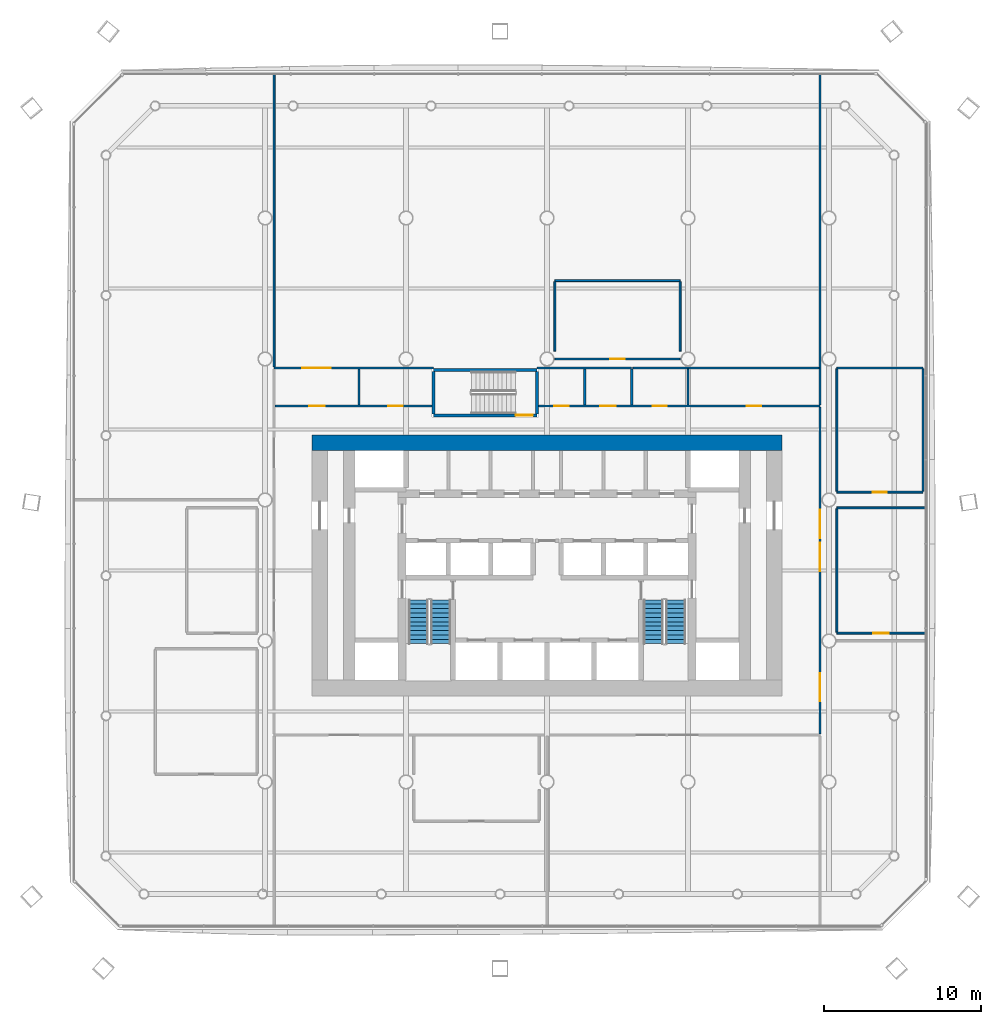
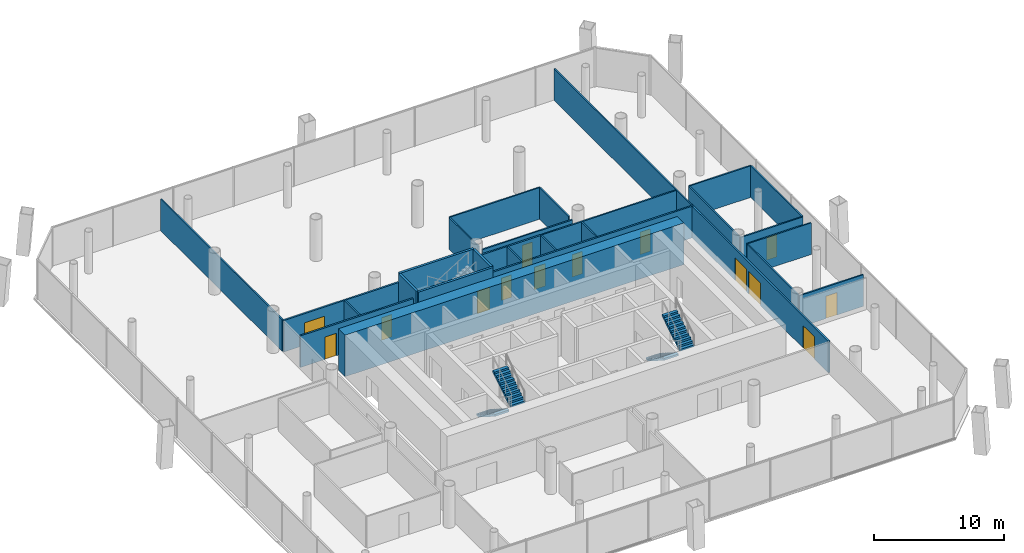
# One storey, part 16 of 22: 28 walls, 14 doors, 4 stair flights, 14 openings, 2 elements without a shape of their own.
"""IFC4 building model written with IfcOpenShell, lengths in metres."""

from ifc_helpers import new_model, si_unit, direction, frame, frame_2d, origin, place, context, subcontext, project, spatial, polyline, rectangle, outline, extrude, material, layer, layer_set, type_object, element, fill, aggregate, save


model = new_model("IFC4")

# Units and contexts
model_context = context("Model", 3, precision=1e-05, world=origin(), true_north=direction((0.0, 1.0)))
body_context = subcontext(model_context, "Body", "Model", "MODEL_VIEW")
ifc_project = project(units=[si_unit("LENGTHUNIT", "METRE"), si_unit("AREAUNIT", "SQUARE_METRE"), si_unit("VOLUMEUNIT", "CUBIC_METRE"), si_unit("PLANEANGLEUNIT", "RADIAN"), si_unit("MASSUNIT", "GRAM", prefix="KILO")], contexts=[model_context])

# Site, building, storey
site_placement = place(None, origin())
site = spatial("IfcSite", under=ifc_project, at=site_placement, CompositionType="ELEMENT")
building_placement = place(site_placement, origin())
building = spatial("IfcBuilding", under=site, at=building_placement, Name="Tskaro Facet Tower", CompositionType="ELEMENT")
storey_placement = place(building_placement, frame((0.0, 0.0, 30.300048828125)))
storey = spatial("IfcBuildingStorey", under=building, at=storey_placement, Name="L06", CompositionType="ELEMENT", Elevation=30.300048828125)

# Wall
ifc_material_1 = material(Name="Concrete C60/75", Category="concrete")
ifc_layer_1 = layer(ifc_material_1, 1.0, Name="Concrete C60/75")
ifc_layer_set_1 = layer_set([ifc_layer_1], Name="Concrete C60/75")
wall_type_1 = type_object("IfcWallType", Name="Core wall 1000", PredefinedType="SHEAR", material=ifc_layer_set_1)
wall_1_placement = place(storey_placement, frame((-15.0, 3.64990234375, 0.0), z_axis=(0.0, 0.0, 1.0), x_axis=(1.0, 0.0, 0.0)))
element("IfcWall", 1, at=wall_1_placement, inside=storey, type_object=wall_type_1, Name="Core wall CW-Z1N", PredefinedType="SHEAR", context=body_context, shape_type="SweptSolid", body=[
    extrude(rectangle(XDim=30.0, YDim=1.0, at=frame_2d((15.0, 0.0))), origin(), (0.0, 0.0, 1.0), 3.89990234375),
])

# Wall, opening, door
ifc_material_2 = material(Name="Gypsum board on steel studs", Category="steel")
ifc_layer_2 = layer(ifc_material_2, 0.125, Name="Gypsum board on steel studs")
ifc_layer_set_2 = layer_set([ifc_layer_2], Name="Gypsum board on steel studs")
wall_type_2 = type_object("IfcWallType", Name="PART", PredefinedType="PARTITIONING", material=ifc_layer_set_2)
wall_2_placement = place(storey_placement, frame((18.5, -8.5, 0.0), z_axis=(0.0, 0.0, 1.0), x_axis=(1.0, 0.0, 0.0)))
wall_2 = element("IfcWall", 2, at=wall_2_placement, inside=storey, type_object=wall_type_2, Name="Partition W010", PredefinedType="PARTITIONING", context=body_context, shape_type="SweptSolid", body=[
    extrude(rectangle(XDim=5.652099609375, YDim=0.125, at=frame_2d((2.826171875, 0.0))), origin(), (0.0, 0.0, 1.0), 2.9599609375),
])
opening_1_placement = place(wall_2_placement, frame((2.325927734375, 0.0, 0.0)))
opening_1 = element("IfcOpeningElement", 3, at=opening_1_placement, cuts=wall_2, Name="Opening T1-D10", PredefinedType="OPENING", context=body_context, shape_type="SweptSolid", body=[
    extrude(rectangle(XDim=1.0, YDim=2.10009765625, at=frame_2d((0.5, 1.050048828125))), frame((0.0, 0.072509765625, 0.0), z_axis=(0.0, -1.0, 0.0), x_axis=(1.0, 0.0, 0.0)), (0.0, 0.0, 1.0), 0.14501953125),
])
ifc_material_3 = material(Name="Timber", Category="wood")
door_type_1 = type_object("IfcDoorType", Name="D-ROOM-WIDE", OperationType="NOTDEFINED", PredefinedType="DOOR", material=ifc_material_3)
door_1_placement = place(opening_1_placement, origin())
door_1 = element("IfcDoor", 4, at=door_1_placement, inside=storey, type_object=door_type_1, Name="Door T1-D10", OperationType="SINGLE_SWING_LEFT", OverallHeight=2.10009765625, OverallWidth=1.0, PredefinedType="DOOR", context=body_context, shape_type="SweptSolid", body=[
    extrude(rectangle(XDim=1.0, YDim=2.10009765625, at=frame_2d((0.5, 1.050048828125))), frame((0.0, 0.02490234375, 0.0), z_axis=(0.0, -1.0, 0.0), x_axis=(1.0, 0.0, 0.0)), (0.0, 0.0, 1.0), 0.050048828125),
])
fill(opening_1, door_1)

# Wall
wall_3_placement = place(storey_placement, frame((18.5, -0.5, 0.0), z_axis=(0.0, 0.0, 1.0), x_axis=(1.0, 0.0, 0.0)))
element("IfcWall", 5, at=wall_3_placement, inside=storey, type_object=wall_type_2, Name="Partition W017", PredefinedType="PARTITIONING", context=body_context, shape_type="SweptSolid", body=[
    extrude(rectangle(XDim=5.652099609375, YDim=0.125, at=frame_2d((2.826171875, 0.0))), origin(), (0.0, 0.0, 1.0), 2.9599609375),
])

# Wall, opening, door
wall_4_placement = place(storey_placement, frame((18.5, 0.5, 0.0), z_axis=(0.0, 0.0, 1.0), x_axis=(1.0, 0.0, 0.0)))
wall_4 = element("IfcWall", 6, at=wall_4_placement, inside=storey, type_object=wall_type_2, Name="Partition W019", PredefinedType="PARTITIONING", context=body_context, shape_type="SweptSolid", body=[
    extrude(rectangle(XDim=5.5, YDim=0.125, at=frame_2d((2.75, 0.0))), origin(), (0.0, 0.0, 1.0), 2.9599609375),
])
opening_2_placement = place(wall_4_placement, frame((2.300048828125, 0.0, 0.0)))
opening_2 = element("IfcOpeningElement", 7, at=opening_2_placement, cuts=wall_4, Name="Opening T1-D28", PredefinedType="OPENING", context=body_context, shape_type="SweptSolid", body=[
    extrude(rectangle(XDim=0.89990234375, YDim=2.10009765625, at=frame_2d((0.449951171875, 1.050048828125))), frame((0.0, 0.072509765625, 0.0), z_axis=(0.0, -1.0, 0.0), x_axis=(1.0, 0.0, 0.0)), (0.0, 0.0, 1.0), 0.14501953125),
])
door_type_2 = type_object("IfcDoorType", Name="D-ROOM", OperationType="NOTDEFINED", PredefinedType="DOOR", material=ifc_material_3)
door_2_placement = place(opening_2_placement, origin())
door_2 = element("IfcDoor", 8, at=door_2_placement, inside=storey, type_object=door_type_2, Name="Door T1-D28", OperationType="SINGLE_SWING_LEFT", OverallHeight=2.10009765625, OverallWidth=0.89990234375, PredefinedType="DOOR", context=body_context, shape_type="SweptSolid", body=[
    extrude(rectangle(XDim=0.89990234375, YDim=2.10009765625, at=frame_2d((0.449951171875, 1.050048828125))), frame((0.0, 0.02490234375, 0.0), z_axis=(0.0, -1.0, 0.0), x_axis=(1.0, 0.0, 0.0)), (0.0, 0.0, 1.0), 0.050048828125),
])
fill(opening_2, door_2)

# Walls
wall_5_placement = place(storey_placement, frame((5.47509765625, 8.425048828125, 0.0), z_axis=(0.0, 0.0, 1.0), x_axis=(1.0, 0.0, 0.0)))
element("IfcWall", 9, at=wall_5_placement, inside=storey, type_object=wall_type_2, Name="Partition W028", PredefinedType="PARTITIONING", context=body_context, shape_type="SweptSolid", body=[
    extrude(rectangle(XDim=11.887451171875, YDim=0.125, at=frame_2d((5.94384765625, 0.0))), origin(), (0.0, 0.0, 1.0), 2.9599609375),
])
wall_6_placement = place(storey_placement, frame((18.5, 8.425048828125, 0.0), z_axis=(0.0, 0.0, 1.0), x_axis=(1.0, 0.0, 0.0)))
element("IfcWall", 10, at=wall_6_placement, inside=storey, type_object=wall_type_2, Name="Partition W029", PredefinedType="PARTITIONING", context=body_context, shape_type="SweptSolid", body=[
    extrude(rectangle(XDim=5.5, YDim=0.125, at=frame_2d((2.75, 0.0))), origin(), (0.0, 0.0, 1.0), 2.9599609375),
])

# Wall, opening, door
wall_7_placement = place(storey_placement, frame((0.5, 9.0, 0.0), z_axis=(0.0, 0.0, 1.0), x_axis=(1.0, 0.0, 0.0)))
wall_7 = element("IfcWall", 11, at=wall_7_placement, inside=storey, type_object=wall_type_2, Name="Partition W030", PredefinedType="PARTITIONING", context=body_context, shape_type="SweptSolid", body=[
    extrude(rectangle(XDim=8.0, YDim=0.125, at=frame_2d((4.0, 0.0))), origin(), (0.0, 0.0, 1.0), 2.9599609375),
])
opening_3_placement = place(wall_7_placement, frame((3.550048828125, 0.0, 0.0)))
opening_3 = element("IfcOpeningElement", 12, at=opening_3_placement, cuts=wall_7, Name="Opening T1-D39", PredefinedType="OPENING", context=body_context, shape_type="SweptSolid", body=[
    extrude(rectangle(XDim=0.89990234375, YDim=2.10009765625, at=frame_2d((0.449951171875, 1.050048828125))), frame((0.0, 0.072509765625, 0.0), z_axis=(0.0, -1.0, 0.0), x_axis=(1.0, 0.0, 0.0)), (0.0, 0.0, 1.0), 0.14501953125),
])
door_3_placement = place(opening_3_placement, origin())
door_3 = element("IfcDoor", 13, at=door_3_placement, inside=storey, type_object=door_type_2, Name="Door T1-D39", OperationType="SINGLE_SWING_LEFT", OverallHeight=2.10009765625, OverallWidth=0.89990234375, PredefinedType="DOOR", context=body_context, shape_type="SweptSolid", body=[
    extrude(rectangle(XDim=0.89990234375, YDim=2.10009765625, at=frame_2d((0.449951171875, 1.050048828125))), frame((0.0, 0.02490234375, 0.0), z_axis=(0.0, -1.0, 0.0), x_axis=(1.0, 0.0, 0.0)), (0.0, 0.0, 1.0), 0.050048828125),
])
fill(opening_3, door_3)

# Walls
wall_8_placement = place(storey_placement, frame((0.5, 14.0, 0.0), z_axis=(0.0, 0.0, 1.0), x_axis=(1.0, 0.0, 0.0)))
element("IfcWall", 14, at=wall_8_placement, inside=storey, type_object=wall_type_2, Name="Partition W031", PredefinedType="PARTITIONING", context=body_context, shape_type="SweptSolid", body=[
    extrude(rectangle(XDim=8.0, YDim=0.125, at=frame_2d((4.0, 0.0))), origin(), (0.0, 0.0, 1.0), 2.9599609375),
])
wall_9_placement = place(storey_placement, frame((-17.425048828125, 8.5, 0.0), z_axis=(0.0, 0.0, 1.0), x_axis=(0.0, 1.0, 0.0)))
element("IfcWall", 15, at=wall_9_placement, inside=storey, type_object=wall_type_2, Name="Partition W038", PredefinedType="PARTITIONING", context=body_context, shape_type="SweptSolid", body=[
    extrude(rectangle(XDim=18.652099609375, YDim=0.125, at=frame_2d((9.326171875, 0.0))), origin(), (0.0, 0.0, 1.0), 2.9599609375),
])
for number, where, z_axis, x_axis, name in (
    (16, (0.5, 9.5, 0.0), (0.0, 0.0, 1.0), (0.0, 1.0, 0.0), "Partition W058"),
    (17, (8.5, 9.5, 0.0), (0.0, 0.0, 1.0), (0.0, 1.0, 0.0), "Partition W069"),
):
    element("IfcWall", number, at=place(storey_placement, frame(where, z_axis=z_axis, x_axis=x_axis)), inside=storey, type_object=wall_type_2, Name=name, PredefinedType="PARTITIONING", context=body_context, shape_type="SweptSolid", body=[
        extrude(rectangle(XDim=4.4375, YDim=0.125, at=frame_2d((2.21875, 0.0))), origin(), (0.0, 0.0, 1.0), 2.9599609375),
    ])
wall_10_placement = place(storey_placement, frame((9.0, 6.074951171875, 0.0), z_axis=(0.0, 0.0, 1.0), x_axis=(0.0, 1.0, 0.0)))
element("IfcWall", 18, at=wall_10_placement, inside=storey, type_object=wall_type_2, Name="Partition W071", PredefinedType="PARTITIONING", context=body_context, shape_type="SweptSolid", body=[
    extrude(rectangle(XDim=2.28759765625, YDim=0.125, at=frame_2d((1.143798828125, 0.0))), origin(), (0.0, 0.0, 1.0), 2.9599609375),
])
wall_11_placement = place(storey_placement, frame((17.425048828125, 6.074951171875, 0.0), z_axis=(0.0, 0.0, 1.0), x_axis=(0.0, 1.0, 0.0)))
element("IfcWall", 19, at=wall_11_placement, inside=storey, type_object=wall_type_2, Name="Partition W074", PredefinedType="PARTITIONING", context=body_context, shape_type="SweptSolid", body=[
    extrude(rectangle(XDim=21.0771484375, YDim=0.125, at=frame_2d((10.53857421875, 0.0))), origin(), (0.0, 0.0, 1.0), 2.9599609375),
])
wall_12_placement = place(storey_placement, frame((18.5, -8.4375, 0.0), z_axis=(0.0, 0.0, 1.0), x_axis=(0.0, 1.0, 0.0)))
element("IfcWall", 20, at=wall_12_placement, inside=storey, type_object=wall_type_2, Name="Partition W075", PredefinedType="PARTITIONING", context=body_context, shape_type="SweptSolid", body=[
    extrude(rectangle(XDim=7.875, YDim=0.125, at=frame_2d((3.9375, 0.0))), origin(), (0.0, 0.0, 1.0), 2.9599609375),
])
for number, where, z_axis, x_axis, name in (
    (21, (18.5, 0.5625, 0.0), (0.0, 0.0, 1.0), (0.0, 1.0, 0.0), "Partition W076"),
    (22, (24.0, 0.5625, 0.0), (0.0, 0.0, 1.0), (0.0, 1.0, 0.0), "Partition W077"),
):
    element("IfcWall", number, at=place(storey_placement, frame(where, z_axis=z_axis, x_axis=x_axis)), inside=storey, type_object=wall_type_2, Name=name, PredefinedType="PARTITIONING", context=body_context, shape_type="SweptSolid", body=[
        extrude(rectangle(XDim=7.800048828125, YDim=0.125, at=frame_2d((3.89990234375, 0.0))), origin(), (0.0, 0.0, 1.0), 2.9599609375),
    ])

# Wall, openings, doors
ifc_layer_3 = layer(ifc_material_2, 0.14990234375, Name="Gypsum board on steel studs")
ifc_layer_set_3 = layer_set([ifc_layer_3], Name="Gypsum board on steel studs")
wall_type_3 = type_object("IfcWallType", Name="PART-CORR", PredefinedType="PARTITIONING", material=ifc_layer_set_3)
wall_13_placement = place(storey_placement, frame((-7.35009765625, 6.0, 0.0), z_axis=(0.0, 0.0, 1.0), x_axis=(-1.0, 0.0, 0.0)))
wall_13 = element("IfcWall", 23, at=wall_13_placement, inside=storey, type_object=wall_type_3, Name="Corridor wall W023", PredefinedType="PARTITIONING", context=body_context, shape_type="SweptSolid", body=[
    extrude(rectangle(XDim=10.0, YDim=0.14990234375, at=frame_2d((5.0, 0.0))), origin(), (0.0, 0.0, 1.0), 2.9599609375),
])
opening_4_placement = place(wall_13_placement, frame((6.824951171875, 0.0, 0.0)))
opening_4 = element("IfcOpeningElement", 24, at=opening_4_placement, cuts=wall_13, Name="Opening T1-D32", PredefinedType="OPENING", context=body_context, shape_type="SweptSolid", body=[
    extrude(rectangle(XDim=1.0, YDim=2.10009765625, at=frame_2d((0.5, 1.050048828125))), frame((0.0, 0.0849609375, 0.0), z_axis=(0.0, -1.0, 0.0), x_axis=(1.0, 0.0, 0.0)), (0.0, 0.0, 1.0), 0.169921875),
])
opening_5_placement = place(wall_13_placement, frame((1.875, 0.0, 0.0)))
opening_5 = element("IfcOpeningElement", 25, at=opening_5_placement, cuts=wall_13, Name="Opening T1-D33", PredefinedType="OPENING", context=body_context, shape_type="SweptSolid", body=[
    extrude(rectangle(XDim=0.89990234375, YDim=2.10009765625, at=frame_2d((0.449951171875, 1.050048828125))), frame((0.0, 0.0849609375, 0.0), z_axis=(0.0, -1.0, 0.0), x_axis=(1.0, 0.0, 0.0)), (0.0, 0.0, 1.0), 0.169921875),
])
door_type_3 = type_object("IfcDoorType", Name="D-ENTRY", OperationType="NOTDEFINED", PredefinedType="DOOR", material=ifc_material_3)
door_4_placement = place(opening_4_placement, origin())
door_4 = element("IfcDoor", 26, at=door_4_placement, inside=storey, type_object=door_type_3, Name="Door T1-D32", OperationType="SINGLE_SWING_RIGHT", OverallHeight=2.10009765625, OverallWidth=1.0, PredefinedType="DOOR", context=body_context, shape_type="SweptSolid", body=[
    extrude(rectangle(XDim=1.0, YDim=2.10009765625, at=frame_2d((0.5, 1.050048828125))), frame((0.0, 0.02490234375, 0.0), z_axis=(0.0, -1.0, 0.0), x_axis=(1.0, 0.0, 0.0)), (0.0, 0.0, 1.0), 0.050048828125),
])
fill(opening_4, door_4)
door_5_placement = place(opening_5_placement, origin())
door_5 = element("IfcDoor", 27, at=door_5_placement, inside=storey, type_object=door_type_2, Name="Door T1-D33", OperationType="SINGLE_SWING_RIGHT", OverallHeight=2.10009765625, OverallWidth=0.89990234375, PredefinedType="DOOR", context=body_context, shape_type="SweptSolid", body=[
    extrude(rectangle(XDim=0.89990234375, YDim=2.10009765625, at=frame_2d((0.449951171875, 1.050048828125))), frame((0.0, 0.02490234375, 0.0), z_axis=(0.0, -1.0, 0.0), x_axis=(1.0, 0.0, 0.0)), (0.0, 0.0, 1.0), 0.050048828125),
])
fill(opening_5, door_5)

wall_14_placement = place(storey_placement, frame((-0.550048828125, 6.0, 0.0), z_axis=(0.0, 0.0, 1.0), x_axis=(1.0, 0.0, 0.0)))
wall_14 = element("IfcWall", 28, at=wall_14_placement, inside=storey, type_object=wall_type_3, Name="Corridor wall W024", PredefinedType="PARTITIONING", context=body_context, shape_type="SweptSolid", body=[
    extrude(rectangle(XDim=17.97509765625, YDim=0.14990234375, at=frame_2d((8.987548828125, 0.0))), origin(), (0.0, 0.0, 1.0), 2.9599609375),
])
opening_6_placement = place(wall_14_placement, frame((1.02490234375, 0.0, 0.0)))
opening_6 = element("IfcOpeningElement", 29, at=opening_6_placement, cuts=wall_14, Name="Opening T1-D34", PredefinedType="OPENING", context=body_context, shape_type="SweptSolid", body=[
    extrude(rectangle(XDim=0.89990234375, YDim=2.10009765625, at=frame_2d((0.449951171875, 1.050048828125))), frame((0.0, 0.0849609375, 0.0), z_axis=(0.0, -1.0, 0.0), x_axis=(1.0, 0.0, 0.0)), (0.0, 0.0, 1.0), 0.169921875),
])
opening_7_placement = place(wall_14_placement, frame((3.949951171875, 0.0, 0.0)))
opening_7 = element("IfcOpeningElement", 30, at=opening_7_placement, cuts=wall_14, Name="Opening T1-D35", PredefinedType="OPENING", context=body_context, shape_type="SweptSolid", body=[
    extrude(rectangle(XDim=1.0, YDim=2.10009765625, at=frame_2d((0.5, 1.050048828125))), frame((0.0, 0.0849609375, 0.0), z_axis=(0.0, -1.0, 0.0), x_axis=(1.0, 0.0, 0.0)), (0.0, 0.0, 1.0), 0.169921875),
])
opening_8_placement = place(wall_14_placement, frame((7.300048828125, 0.0, 0.0)))
opening_8 = element("IfcOpeningElement", 31, at=opening_8_placement, cuts=wall_14, Name="Opening T1-D36", PredefinedType="OPENING", context=body_context, shape_type="SweptSolid", body=[
    extrude(rectangle(XDim=0.89990234375, YDim=2.10009765625, at=frame_2d((0.449951171875, 1.050048828125))), frame((0.0, 0.0849609375, 0.0), z_axis=(0.0, -1.0, 0.0), x_axis=(1.0, 0.0, 0.0)), (0.0, 0.0, 1.0), 0.169921875),
])
opening_9_placement = place(wall_14_placement, frame((13.3125, 0.0, 0.0)))
opening_9 = element("IfcOpeningElement", 32, at=opening_9_placement, cuts=wall_14, Name="Opening T1-D37", PredefinedType="OPENING", context=body_context, shape_type="SweptSolid", body=[
    extrude(rectangle(XDim=0.89990234375, YDim=2.10009765625, at=frame_2d((0.449951171875, 1.050048828125))), frame((0.0, 0.0849609375, 0.0), z_axis=(0.0, -1.0, 0.0), x_axis=(1.0, 0.0, 0.0)), (0.0, 0.0, 1.0), 0.169921875),
])
door_6_placement = place(opening_6_placement, origin())
door_6 = element("IfcDoor", 33, at=door_6_placement, inside=storey, type_object=door_type_2, Name="Door T1-D34", OperationType="SINGLE_SWING_LEFT", OverallHeight=2.10009765625, OverallWidth=0.89990234375, PredefinedType="DOOR", context=body_context, shape_type="SweptSolid", body=[
    extrude(rectangle(XDim=0.89990234375, YDim=2.10009765625, at=frame_2d((0.449951171875, 1.050048828125))), frame((0.0, 0.02490234375, 0.0), z_axis=(0.0, -1.0, 0.0), x_axis=(1.0, 0.0, 0.0)), (0.0, 0.0, 1.0), 0.050048828125),
])
fill(opening_6, door_6)
door_7_placement = place(opening_8_placement, origin())
door_7 = element("IfcDoor", 34, at=door_7_placement, inside=storey, type_object=door_type_2, Name="Door T1-D36", OperationType="SINGLE_SWING_LEFT", OverallHeight=2.10009765625, OverallWidth=0.89990234375, PredefinedType="DOOR", context=body_context, shape_type="SweptSolid", body=[
    extrude(rectangle(XDim=0.89990234375, YDim=2.10009765625, at=frame_2d((0.449951171875, 1.050048828125))), frame((0.0, 0.02490234375, 0.0), z_axis=(0.0, -1.0, 0.0), x_axis=(1.0, 0.0, 0.0)), (0.0, 0.0, 1.0), 0.050048828125),
])
fill(opening_8, door_7)
door_8_placement = place(opening_9_placement, origin())
door_8 = element("IfcDoor", 35, at=door_8_placement, inside=storey, type_object=door_type_2, Name="Door T1-D37", OperationType="SINGLE_SWING_LEFT", OverallHeight=2.10009765625, OverallWidth=0.89990234375, PredefinedType="DOOR", context=body_context, shape_type="SweptSolid", body=[
    extrude(rectangle(XDim=0.89990234375, YDim=2.10009765625, at=frame_2d((0.449951171875, 1.050048828125))), frame((0.0, 0.02490234375, 0.0), z_axis=(0.0, -1.0, 0.0), x_axis=(1.0, 0.0, 0.0)), (0.0, 0.0, 1.0), 0.050048828125),
])
fill(opening_9, door_8)
door_9_placement = place(opening_7_placement, origin())
door_9 = element("IfcDoor", 36, at=door_9_placement, inside=storey, type_object=door_type_1, Name="Door T1-D35", OperationType="SINGLE_SWING_LEFT", OverallHeight=2.10009765625, OverallWidth=1.0, PredefinedType="DOOR", context=body_context, shape_type="SweptSolid", body=[
    extrude(rectangle(XDim=1.0, YDim=2.10009765625, at=frame_2d((0.5, 1.050048828125))), frame((0.0, 0.02490234375, 0.0), z_axis=(0.0, -1.0, 0.0), x_axis=(1.0, 0.0, 0.0)), (0.0, 0.0, 1.0), 0.050048828125),
])
fill(opening_7, door_9)

# Wall, opening, door
wall_15_placement = place(storey_placement, frame((-17.425048828125, 8.425048828125, 0.0), z_axis=(0.0, 0.0, 1.0), x_axis=(1.0, 0.0, 0.0)))
wall_15 = element("IfcWall", 37, at=wall_15_placement, inside=storey, type_object=wall_type_3, Name="Corridor wall W026", PredefinedType="PARTITIONING", context=body_context, shape_type="SweptSolid", body=[
    extrude(rectangle(XDim=10.175048828125, YDim=0.14990234375, at=frame_2d((5.08740234375, 0.0))), origin(), (0.0, 0.0, 1.0), 2.9599609375),
])
opening_10_placement = place(wall_15_placement, frame((1.8125, 0.0, 0.0)))
opening_10 = element("IfcOpeningElement", 38, at=opening_10_placement, cuts=wall_15, Name="Opening T1-D38", PredefinedType="OPENING", context=body_context, shape_type="SweptSolid", body=[
    extrude(rectangle(XDim=1.800048828125, YDim=2.10009765625, at=frame_2d((0.89990234375, 1.050048828125))), frame((0.0, 0.0849609375, 0.0), z_axis=(0.0, -1.0, 0.0), x_axis=(1.0, 0.0, 0.0)), (0.0, 0.0, 1.0), 0.169921875),
])
ifc_material_4 = material(Name="Glass", Category="glass")
door_type_4 = type_object("IfcDoorType", Name="D-ENTRY-PAIR", OperationType="NOTDEFINED", PredefinedType="DOOR", material=ifc_material_4)
door_10_placement = place(opening_10_placement, origin())
door_10 = element("IfcDoor", 39, at=door_10_placement, inside=storey, type_object=door_type_4, Name="Door T1-D38", OperationType="DOUBLE_DOOR_SINGLE_SWING", OverallHeight=2.10009765625, OverallWidth=1.800048828125, PredefinedType="DOOR", context=body_context, shape_type="SweptSolid", body=[
    extrude(rectangle(XDim=1.800048828125, YDim=2.10009765625, at=frame_2d((0.89990234375, 1.050048828125))), frame((0.0, 0.02490234375, 0.0), z_axis=(0.0, -1.0, 0.0), x_axis=(1.0, 0.0, 0.0)), (0.0, 0.0, 1.0), 0.050048828125),
])
fill(opening_10, door_10)

# Walls
wall_16_placement = place(storey_placement, frame((-0.64990234375, 8.425048828125, 0.0), z_axis=(0.0, 0.0, 1.0), x_axis=(1.0, 0.0, 0.0)))
element("IfcWall", 40, at=wall_16_placement, inside=storey, type_object=wall_type_3, Name="Corridor wall W027", PredefinedType="PARTITIONING", context=body_context, shape_type="SweptSolid", body=[
    extrude(rectangle(XDim=6.0498046875, YDim=0.14990234375, at=frame_2d((3.02490234375, 0.0))), origin(), (0.0, 0.0, 1.0), 2.9599609375),
])
for number, where, z_axis, x_axis, name in (
    (41, (-12.0, 6.074951171875, 0.0), (0.0, 0.0, 1.0), (0.0, 1.0, 0.0), "Corridor wall W039"),
    (42, (2.39990234375, 6.074951171875, 0.0), (0.0, 0.0, 1.0), (0.0, 1.0, 0.0), "Corridor wall W061"),
    (43, (5.39990234375, 6.074951171875, 0.0), (0.0, 0.0, 1.0), (0.0, 1.0, 0.0), "Corridor wall W065"),
):
    element("IfcWall", number, at=place(storey_placement, frame(where, z_axis=z_axis, x_axis=x_axis)), inside=storey, type_object=wall_type_3, Name=name, PredefinedType="PARTITIONING", context=body_context, shape_type="SweptSolid", body=[
        extrude(rectangle(XDim=2.275146484375, YDim=0.14990234375, at=frame_2d((1.1376953125, 0.0))), origin(), (0.0, 0.0, 1.0), 2.9599609375),
    ])

# Wall, openings, doors
wall_17_placement = place(storey_placement, frame((17.425048828125, -14.925048828125, 0.0), z_axis=(0.0, 0.0, 1.0), x_axis=(0.0, 1.0, 0.0)))
wall_17 = element("IfcWall", 44, at=wall_17_placement, inside=storey, type_object=wall_type_3, Name="Corridor wall W073", PredefinedType="PARTITIONING", context=body_context, shape_type="SweptSolid", body=[
    extrude(rectangle(XDim=20.85009765625, YDim=0.14990234375, at=frame_2d((10.425048828125, 0.0))), origin(), (0.0, 0.0, 1.0), 2.9599609375),
])
opening_11_placement = place(wall_17_placement, frame((2.0625, 0.0, 0.0)))
opening_11 = element("IfcOpeningElement", 45, at=opening_11_placement, cuts=wall_17, Name="Opening T1-D06", PredefinedType="OPENING", context=body_context, shape_type="SweptSolid", body=[
    extrude(rectangle(XDim=1.800048828125, YDim=2.10009765625, at=frame_2d((0.89990234375, 1.050048828125))), frame((0.0, 0.0849609375, 0.0), z_axis=(0.0, -1.0, 0.0), x_axis=(1.0, 0.0, 0.0)), (0.0, 0.0, 1.0), 0.169921875),
])
opening_12_placement = place(wall_17_placement, frame((12.487548828125, 0.0, 0.0)))
opening_12 = element("IfcOpeningElement", 46, at=opening_12_placement, cuts=wall_17, Name="Opening T1-D14", PredefinedType="OPENING", context=body_context, shape_type="SweptSolid", body=[
    extrude(rectangle(XDim=1.800048828125, YDim=2.10009765625, at=frame_2d((0.89990234375, 1.050048828125))), frame((0.0, 0.0849609375, 0.0), z_axis=(0.0, -1.0, 0.0), x_axis=(1.0, 0.0, 0.0)), (0.0, 0.0, 1.0), 0.169921875),
])
opening_13_placement = place(wall_17_placement, frame((10.387451171875, 0.0, 0.0)))
opening_13 = element("IfcOpeningElement", 47, at=opening_13_placement, cuts=wall_17, Name="Opening T1-D13", PredefinedType="OPENING", context=body_context, shape_type="SweptSolid", body=[
    extrude(rectangle(XDim=1.800048828125, YDim=2.10009765625, at=frame_2d((0.89990234375, 1.050048828125))), frame((0.0, 0.0849609375, 0.0), z_axis=(0.0, -1.0, 0.0), x_axis=(1.0, 0.0, 0.0)), (0.0, 0.0, 1.0), 0.169921875),
])
door_11_placement = place(opening_11_placement, origin())
door_11 = element("IfcDoor", 48, at=door_11_placement, inside=storey, type_object=door_type_4, Name="Door T1-D06", OperationType="DOUBLE_DOOR_SINGLE_SWING", OverallHeight=2.10009765625, OverallWidth=1.800048828125, PredefinedType="DOOR", context=body_context, shape_type="SweptSolid", body=[
    extrude(rectangle(XDim=1.800048828125, YDim=2.10009765625, at=frame_2d((0.89990234375, 1.050048828125))), frame((0.0, 0.02490234375, 0.0), z_axis=(0.0, -1.0, 0.0), x_axis=(1.0, 0.0, 0.0)), (0.0, 0.0, 1.0), 0.050048828125),
])
fill(opening_11, door_11)
door_12_placement = place(opening_12_placement, origin())
door_12 = element("IfcDoor", 49, at=door_12_placement, inside=storey, type_object=door_type_4, Name="Door T1-D14", OperationType="DOUBLE_DOOR_SINGLE_SWING", OverallHeight=2.10009765625, OverallWidth=1.800048828125, PredefinedType="DOOR", context=body_context, shape_type="SweptSolid", body=[
    extrude(rectangle(XDim=1.800048828125, YDim=2.10009765625, at=frame_2d((0.89990234375, 1.050048828125))), frame((0.0, 0.02490234375, 0.0), z_axis=(0.0, -1.0, 0.0), x_axis=(1.0, 0.0, 0.0)), (0.0, 0.0, 1.0), 0.050048828125),
])
fill(opening_12, door_12)
door_13_placement = place(opening_13_placement, origin())
door_13 = element("IfcDoor", 50, at=door_13_placement, inside=storey, type_object=door_type_4, Name="Door T1-D13", OperationType="DOUBLE_DOOR_SINGLE_SWING", OverallHeight=2.10009765625, OverallWidth=1.800048828125, PredefinedType="DOOR", context=body_context, shape_type="SweptSolid", body=[
    extrude(rectangle(XDim=1.800048828125, YDim=2.10009765625, at=frame_2d((0.89990234375, 1.050048828125))), frame((0.0, 0.02490234375, 0.0), z_axis=(0.0, -1.0, 0.0), x_axis=(1.0, 0.0, 0.0)), (0.0, 0.0, 1.0), 0.050048828125),
])
fill(opening_13, door_13)

# Wall, opening, door
ifc_layer_4 = layer(ifc_material_1, 0.199951171875, Name="Concrete C60/75")
ifc_layer_set_4 = layer_set([ifc_layer_4], Name="Concrete C60/75")
wall_type_4 = type_object("IfcWallType", Name="STAIR-WALL", PredefinedType="SHEAR", material=ifc_layer_set_4)
wall_18_placement = place(storey_placement, frame((-7.25, 5.39990234375, 0.0), z_axis=(0.0, 0.0, 1.0), x_axis=(1.0, 0.0, 0.0)))
wall_18 = element("IfcWall", 51, at=wall_18_placement, inside=storey, type_object=wall_type_4, Name="Stair wall W022", PredefinedType="SHEAR", context=body_context, shape_type="SweptSolid", body=[
    extrude(rectangle(XDim=6.60009765625, YDim=0.199951171875, at=frame_2d((3.300048828125, 0.0))), origin(), (0.0, 0.0, 1.0), 3.89990234375),
])
opening_14_placement = place(wall_18_placement, frame((5.25, 0.0, 0.0)))
opening_14 = element("IfcOpeningElement", 52, at=opening_14_placement, cuts=wall_18, Name="Opening ST-3-D1", PredefinedType="OPENING", context=body_context, shape_type="SweptSolid", body=[
    extrude(rectangle(XDim=1.10009765625, YDim=2.10009765625, at=frame_2d((0.550048828125, 1.050048828125))), frame((0.0, 0.10986328125, 0.0), z_axis=(0.0, -1.0, 0.0), x_axis=(1.0, 0.0, 0.0)), (0.0, 0.0, 1.0), 0.219970703125),
])
ifc_material_5 = material(Name="Steel", Category="steel")
door_type_5 = type_object("IfcDoorType", Name="D-STAIR", OperationType="NOTDEFINED", PredefinedType="DOOR", material=ifc_material_5)
door_14_placement = place(opening_14_placement, origin())
door_14 = element("IfcDoor", 53, at=door_14_placement, inside=storey, type_object=door_type_5, Name="Stair door 3", OperationType="SINGLE_SWING_LEFT", OverallHeight=2.10009765625, OverallWidth=1.10009765625, PredefinedType="DOOR", context=body_context, shape_type="SweptSolid", body=[
    extrude(rectangle(XDim=1.10009765625, YDim=2.10009765625, at=frame_2d((0.550048828125, 1.050048828125))), frame((0.0, 0.02490234375, 0.0), z_axis=(0.0, -1.0, 0.0), x_axis=(1.0, 0.0, 0.0)), (0.0, 0.0, 1.0), 0.050048828125),
])
fill(opening_14, door_14)

# Walls
wall_19_placement = place(storey_placement, frame((-7.25, 8.300048828125, 0.0), z_axis=(0.0, 0.0, 1.0), x_axis=(1.0, 0.0, 0.0)))
element("IfcWall", 54, at=wall_19_placement, inside=storey, type_object=wall_type_4, Name="Stair wall W025", PredefinedType="SHEAR", context=body_context, shape_type="SweptSolid", body=[
    extrude(rectangle(XDim=6.60009765625, YDim=0.199951171875, at=frame_2d((3.300048828125, 0.0))), origin(), (0.0, 0.0, 1.0), 3.89990234375),
])
for number, where, z_axis, x_axis, name in (
    (55, (-7.25, 5.5, 0.0), (0.0, 0.0, 1.0), (0.0, 1.0, 0.0), "Stair wall W043"),
    (56, (-0.64990234375, 5.5, 0.0), (0.0, 0.0, 1.0), (0.0, 1.0, 0.0), "Stair wall W052"),
):
    element("IfcWall", number, at=place(storey_placement, frame(where, z_axis=z_axis, x_axis=x_axis)), inside=storey, type_object=wall_type_4, Name=name, PredefinedType="SHEAR", context=body_context, shape_type="SweptSolid", body=[
        extrude(rectangle(XDim=2.699951171875, YDim=0.199951171875, at=frame_2d((1.35009765625, 0.0))), origin(), (0.0, 0.0, 1.0), 3.89990234375),
    ])

# Stair, stair flights
ifc_material_6 = material(Name="Concrete C40/50", Category="concrete")
stair_type = type_object("IfcStairType", Name="ST-TWR", PredefinedType="HALF_TURN_STAIR", material=ifc_material_6)
stair_1_placement = place(storey_placement, origin())
stair_1 = element("IfcStair", 57, at=stair_1_placement, inside=storey, type_object=stair_type, Name="L06 Exit stair 1", PredefinedType="HALF_TURN_STAIR")
stair_flight_type = type_object("IfcStairFlightType", Name="SFL-RC", PredefinedType="STRAIGHT", material=ifc_material_6)
stair_flight_1_placement = place(storey_placement, frame((-8.21240234375, -6.375, 0.0), z_axis=(0.0, 0.0, 1.0), x_axis=(0.0, -1.0, 0.0)))
stair_flight_1 = element("IfcStairFlight", 58, at=stair_flight_1_placement, type_object=stair_flight_type, Name="ST-1 flight 1", NumberOfRisers=11, NumberOfTreads=10, PredefinedType="STRAIGHT", RiserHeight=0.177272727, TreadLength=0.28, context=body_context, shape_type="SweptSolid", body=[
    extrude(outline(polyline([(0.0, 0.0), (0.0, 0.17724609375), (0.280029296875, 0.17724609375), (0.280029296875, 0.3544921875), (0.56005859375, 0.3544921875), (0.56005859375, 0.53173828125), (0.840087890625, 0.53173828125), (0.840087890625, 0.708984375), (1.1201171875, 0.708984375), (1.1201171875, 0.886474609375), (1.39990234375, 0.886474609375), (1.39990234375, 1.063720703125), (1.679931640625, 1.063720703125), (1.679931640625, 1.240966796875), (1.9599609375, 1.240966796875), (1.9599609375, 1.418212890625), (2.239990234375, 1.418212890625), (2.239990234375, 1.595458984375), (2.52001953125, 1.595458984375), (2.52001953125, 1.772705078125), (2.800048828125, 1.772705078125), (2.800048828125, 1.949951171875), (2.800048828125, 1.59521484375), (0.2802734375, 0.0), (0.0, 0.0)])), frame((0.0, 0.637451171875, 0.0), z_axis=(0.0, -1.0, 0.0), x_axis=(1.0, 0.0, 0.0)), (0.0, 0.0, 1.0), 1.27490234375),
])
stair_flight_2_placement = place(storey_placement, frame((-6.78759765625, -9.175048828125, 1.949951171875), z_axis=(0.0, 0.0, 1.0), x_axis=(0.0, 1.0, 0.0)))
stair_flight_2 = element("IfcStairFlight", 59, at=stair_flight_2_placement, type_object=stair_flight_type, Name="ST-1 flight 2", NumberOfRisers=11, NumberOfTreads=10, PredefinedType="STRAIGHT", RiserHeight=0.177272727, TreadLength=0.28, context=body_context, shape_type="SweptSolid", body=[
    extrude(outline(polyline([(0.0, 0.0), (0.0, 0.17724609375), (0.280029296875, 0.17724609375), (0.280029296875, 0.3544921875), (0.56005859375, 0.3544921875), (0.56005859375, 0.53173828125), (0.840087890625, 0.53173828125), (0.840087890625, 0.708984375), (1.1201171875, 0.708984375), (1.1201171875, 0.886474609375), (1.39990234375, 0.886474609375), (1.39990234375, 1.063720703125), (1.679931640625, 1.063720703125), (1.679931640625, 1.240966796875), (1.9599609375, 1.240966796875), (1.9599609375, 1.418212890625), (2.239990234375, 1.418212890625), (2.239990234375, 1.595458984375), (2.52001953125, 1.595458984375), (2.52001953125, 1.772705078125), (2.800048828125, 1.772705078125), (2.800048828125, 1.949951171875), (2.800048828125, 1.59521484375), (0.2802734375, 0.0), (0.0, 0.0)])), frame((0.0, 0.637451171875, 0.0), z_axis=(0.0, -1.0, 0.0), x_axis=(1.0, 0.0, 0.0)), (0.0, 0.0, 1.0), 1.27490234375),
])
aggregate(stair_1, [stair_flight_1, stair_flight_2])

stair_2_placement = place(storey_placement, origin())
stair_2 = element("IfcStair", 60, at=stair_2_placement, inside=storey, type_object=stair_type, Name="L06 Exit stair 2", PredefinedType="HALF_TURN_STAIR")
stair_flight_3_placement = place(storey_placement, frame((6.78759765625, -6.375, 0.0), z_axis=(0.0, 0.0, 1.0), x_axis=(0.0, -1.0, 0.0)))
stair_flight_3 = element("IfcStairFlight", 61, at=stair_flight_3_placement, type_object=stair_flight_type, Name="ST-2 flight 1", NumberOfRisers=11, NumberOfTreads=10, PredefinedType="STRAIGHT", RiserHeight=0.177272727, TreadLength=0.28, context=body_context, shape_type="SweptSolid", body=[
    extrude(outline(polyline([(0.0, 0.0), (0.0, 0.17724609375), (0.280029296875, 0.17724609375), (0.280029296875, 0.3544921875), (0.56005859375, 0.3544921875), (0.56005859375, 0.53173828125), (0.840087890625, 0.53173828125), (0.840087890625, 0.708984375), (1.1201171875, 0.708984375), (1.1201171875, 0.886474609375), (1.39990234375, 0.886474609375), (1.39990234375, 1.063720703125), (1.679931640625, 1.063720703125), (1.679931640625, 1.240966796875), (1.9599609375, 1.240966796875), (1.9599609375, 1.418212890625), (2.239990234375, 1.418212890625), (2.239990234375, 1.595458984375), (2.52001953125, 1.595458984375), (2.52001953125, 1.772705078125), (2.800048828125, 1.772705078125), (2.800048828125, 1.949951171875), (2.800048828125, 1.59521484375), (0.2802734375, 0.0), (0.0, 0.0)])), frame((0.0, 0.637451171875, 0.0), z_axis=(0.0, -1.0, 0.0), x_axis=(1.0, 0.0, 0.0)), (0.0, 0.0, 1.0), 1.27490234375),
])
stair_flight_4_placement = place(storey_placement, frame((8.21240234375, -9.175048828125, 1.949951171875), z_axis=(0.0, 0.0, 1.0), x_axis=(0.0, 1.0, 0.0)))
stair_flight_4 = element("IfcStairFlight", 62, at=stair_flight_4_placement, type_object=stair_flight_type, Name="ST-2 flight 2", NumberOfRisers=11, NumberOfTreads=10, PredefinedType="STRAIGHT", RiserHeight=0.177272727, TreadLength=0.28, context=body_context, shape_type="SweptSolid", body=[
    extrude(outline(polyline([(0.0, 0.0), (0.0, 0.17724609375), (0.280029296875, 0.17724609375), (0.280029296875, 0.3544921875), (0.56005859375, 0.3544921875), (0.56005859375, 0.53173828125), (0.840087890625, 0.53173828125), (0.840087890625, 0.708984375), (1.1201171875, 0.708984375), (1.1201171875, 0.886474609375), (1.39990234375, 0.886474609375), (1.39990234375, 1.063720703125), (1.679931640625, 1.063720703125), (1.679931640625, 1.240966796875), (1.9599609375, 1.240966796875), (1.9599609375, 1.418212890625), (2.239990234375, 1.418212890625), (2.239990234375, 1.595458984375), (2.52001953125, 1.595458984375), (2.52001953125, 1.772705078125), (2.800048828125, 1.772705078125), (2.800048828125, 1.949951171875), (2.800048828125, 1.59521484375), (0.2802734375, 0.0), (0.0, 0.0)])), frame((0.0, 0.637451171875, 0.0), z_axis=(0.0, -1.0, 0.0), x_axis=(1.0, 0.0, 0.0)), (0.0, 0.0, 1.0), 1.27490234375),
])
aggregate(stair_2, [stair_flight_3, stair_flight_4])

save(model, "model.ifc")
